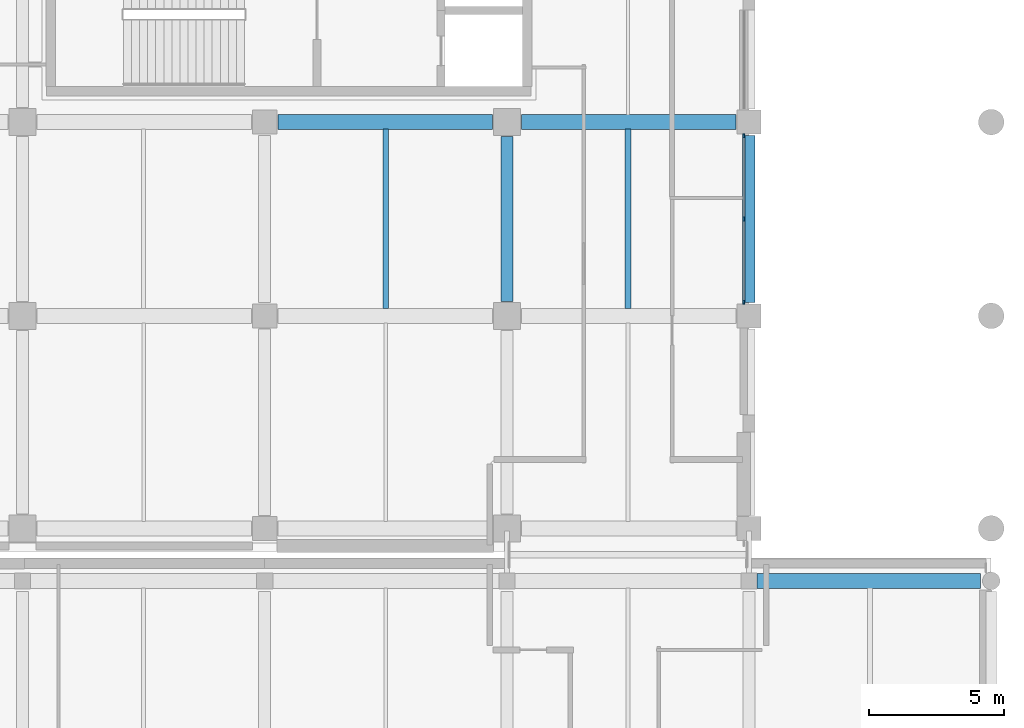
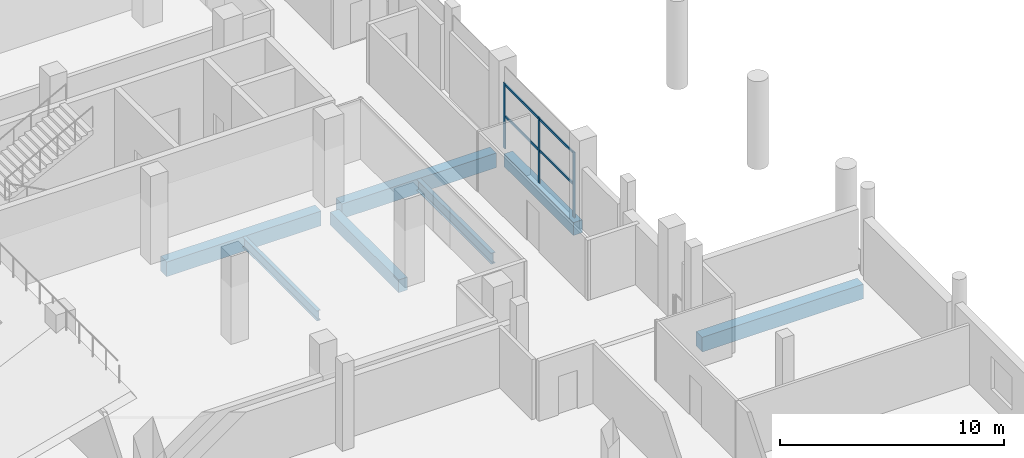
# One storey, part 22 of 100: 7 beams, 5 members, 1 element without a shape of its own.
"""IFC4 building model written with IfcOpenShell, lengths in metres."""

from ifc_helpers import new_model, si_unit, direction, frame, origin, origin_2d, place, context, subcontext, project, spatial, rectangle, i_section, extrude, material, material_profile, profile_set, type_object, element, aggregate, save


model = new_model("IFC4")

# Units and contexts
model_context = context("Model", 3, precision=1e-05, world=origin(), true_north=direction((0.0, 1.0)))
body_context = subcontext(model_context, "Body", "Model", "MODEL_VIEW")
ifc_project = project(units=[si_unit("LENGTHUNIT", "METRE"), si_unit("AREAUNIT", "SQUARE_METRE"), si_unit("VOLUMEUNIT", "CUBIC_METRE"), si_unit("PLANEANGLEUNIT", "RADIAN"), si_unit("MASSUNIT", "GRAM", prefix="KILO"), si_unit("THERMODYNAMICTEMPERATUREUNIT", "KELVIN"), si_unit("POWERUNIT", "WATT")], contexts=[model_context])

# Site, building, storey
site_placement = place(None, origin())
site = spatial("IfcSite", under=ifc_project, at=site_placement, CompositionType="ELEMENT")
building_placement = place(site_placement, origin())
building = spatial("IfcBuilding", under=site, at=building_placement, Name="Sindhuravela Promenade Stadium", CompositionType="ELEMENT")
storey_placement = place(building_placement, frame((0.0, 0.0, 4.800048828125)))
storey = spatial("IfcBuildingStorey", under=building, at=storey_placement, Name="L01", CompositionType="ELEMENT", Elevation=4.800048828125)

# Curtain wall, members
ifc_material_1 = material(Name="Anodised architectural aluminium 6063-T6", Category="aluminium")
curtain_wall_type = type_object("IfcCurtainWallType", Name="CW-MOD-4", PredefinedType="NOTDEFINED", material=ifc_material_1)
curtain_wall_placement = place(storey_placement, origin())
curtain_wall = element("IfcCurtainWall", 1, at=curtain_wall_placement, inside=storey, type_object=curtain_wall_type, Name="Bronze curtain wall CW-EAST-L01-091", PredefinedType="NOTDEFINED")
ifc_material_profile_1 = material_profile(ifc_material_1, rectangle(XDim=0.06494140625, YDim=0.14990234375, at=origin_2d()), Name="ALU MULL 65x150")
ifc_profile_set_1 = profile_set([ifc_material_profile_1], Name="Anodised architectural aluminium 6063-T6")
member_type_1 = type_object("IfcMemberType", Name="CW-MUL-2", PredefinedType="MULLION", material=ifc_profile_set_1)
member_1_placement = place(storey_placement, frame((206.800048828125, 51.699951171875, 0.0), z_axis=(0.0, 0.0, 1.0), x_axis=(1.0, 0.0, 0.0)))
member_1 = element("IfcMember", 2, at=member_1_placement, type_object=member_type_1, Name="Curtain wall mullion CW-EAST-L01-091-M1", PredefinedType="MULLION", context=body_context, shape_type="SweptSolid", body=[
    extrude(rectangle(XDim=0.06494140625, YDim=0.14990234375, at=origin_2d()), origin(), (0.0, 0.0, 1.0), 3.579833984375),
])
member_2_placement = place(storey_placement, frame((206.800048828125, 48.60009765625, 0.0), z_axis=(0.0, 0.0, 1.0), x_axis=(1.0, 0.0, 0.0)))
member_2 = element("IfcMember", 3, at=member_2_placement, type_object=member_type_1, Name="Curtain wall mullion CW-EAST-L01-091-M2", PredefinedType="MULLION", context=body_context, shape_type="SweptSolid", body=[
    extrude(rectangle(XDim=0.06494140625, YDim=0.14990234375, at=origin_2d()), origin(), (0.0, 0.0, 1.0), 3.579833984375),
])
member_3_placement = place(storey_placement, frame((206.800048828125, 45.5, 0.0), z_axis=(0.0, 0.0, 1.0), x_axis=(1.0, 0.0, 0.0)))
member_3 = element("IfcMember", 4, at=member_3_placement, type_object=member_type_1, Name="Curtain wall mullion CW-EAST-L01-091-M3", PredefinedType="MULLION", context=body_context, shape_type="SweptSolid", body=[
    extrude(rectangle(XDim=0.06494140625, YDim=0.14990234375, at=origin_2d()), origin(), (0.0, 0.0, 1.0), 3.579833984375),
])
ifc_material_profile_2 = material_profile(ifc_material_1, rectangle(XDim=0.06494140625, YDim=0.125, at=origin_2d()), Name="ALU TRAN 65x125")
ifc_profile_set_2 = profile_set([ifc_material_profile_2], Name="Anodised architectural aluminium 6063-T6")
member_type_2 = type_object("IfcMemberType", Name="CW-TRN-2", PredefinedType="USERDEFINED", material=ifc_profile_set_2)
member_4_placement = place(storey_placement, frame((206.800048828125, 51.72509765625, 1.7900390625), z_axis=(0.0, -1.0, 0.0), x_axis=(1.0, 0.0, 0.0)))
member_4 = element("IfcMember", 5, at=member_4_placement, type_object=member_type_2, Name="Curtain wall transom CW-EAST-L01-091-T1", ObjectType="TRANSOM", PredefinedType="USERDEFINED", context=body_context, shape_type="SweptSolid", body=[
    extrude(rectangle(XDim=0.06494140625, YDim=0.125, at=origin_2d()), origin(), (0.0, 0.0, 1.0), 6.25),
])
member_5_placement = place(storey_placement, frame((206.800048828125, 51.72509765625, 3.5), z_axis=(0.0, -1.0, 0.0), x_axis=(1.0, 0.0, 0.0)))
member_5 = element("IfcMember", 6, at=member_5_placement, type_object=member_type_2, Name="Curtain wall transom CW-EAST-L01-091-T2", ObjectType="TRANSOM", PredefinedType="USERDEFINED", context=body_context, shape_type="SweptSolid", body=[
    extrude(rectangle(XDim=0.06494140625, YDim=0.125, at=origin_2d()), origin(), (0.0, 0.0, 1.0), 6.25),
])
aggregate(curtain_wall, [member_1, member_2, member_3, member_4, member_5])

# Beams
ifc_material_2 = material(Name="Concrete M40", Category="concrete")
ifc_material_profile_3 = material_profile(ifc_material_2, rectangle(XDim=0.449951171875, YDim=0.699951171875, at=origin_2d()), Name="RC 450x700")
ifc_profile_set_3 = profile_set([ifc_material_profile_3], Name="Concrete M40")
beam_type_1 = type_object("IfcBeamType", Name="RC-BM-450x700", PredefinedType="BEAM", material=ifc_profile_set_3)
beam_1_placement = place(storey_placement, frame((198.0, 45.5400390625, -0.650146484375), z_axis=(0.0, 1.0, 0.0), x_axis=(-1.0, 0.0, 0.0)))
element("IfcBeam", 7, at=beam_1_placement, inside=storey, type_object=beam_type_1, Name="Primary beam GB07 EAST L01", PredefinedType="BEAM", context=body_context, shape_type="SweptSolid", body=[
    extrude(rectangle(XDim=0.449951171875, YDim=0.699951171875, at=origin_2d()), origin(), (0.0, 0.0, 1.0), 6.119873046875),
])
beam_2_placement = place(storey_placement, frame((207.0, 45.489990234375, -0.650146484375), z_axis=(0.0, 1.0, 0.0), x_axis=(-1.0, 0.0, 0.0)))
element("IfcBeam", 8, at=beam_2_placement, inside=storey, type_object=beam_type_1, Name="Primary beam GB07 EAST L01", PredefinedType="BEAM", context=body_context, shape_type="SweptSolid", body=[
    extrude(rectangle(XDim=0.449951171875, YDim=0.699951171875, at=origin_2d()), origin(), (0.0, 0.0, 1.0), 6.219970703125),
])
ifc_material_profile_4 = material_profile(ifc_material_2, rectangle(XDim=0.550048828125, YDim=0.800048828125, at=origin_2d()), Name="RC 550x800")
ifc_profile_set_4 = profile_set([ifc_material_profile_4], Name="Concrete M40")
beam_type_2 = type_object("IfcBeamType", Name="RC-BM-550x800", PredefinedType="BEAM", material=ifc_profile_set_4)
for number, where, z_axis, x_axis, name in (
    (9, (189.489990234375, 52.199951171875, -0.699951171875), (1.0, 0.0, 0.0), (0.0, 1.0, 0.0), "Primary girder GB05 EAST L01"),
    (10, (198.5400390625, 52.199951171875, -0.699951171875), (1.0, 0.0, 0.0), (0.0, 1.0, 0.0), "Primary girder GB05 EAST L01"),
):
    element("IfcBeam", number, at=place(storey_placement, frame(where, z_axis=z_axis, x_axis=x_axis)), inside=storey, type_object=beam_type_2, Name=name, PredefinedType="BEAM", context=body_context, shape_type="SweptSolid", body=[
        extrude(rectangle(XDim=0.550048828125, YDim=0.800048828125, at=origin_2d()), origin(), (0.0, 0.0, 1.0), 7.969970703125),
    ])
beam_3_placement = place(storey_placement, frame((207.2900390625, 35.14990234375, -0.699951171875), z_axis=(1.0, 0.0, 0.0), x_axis=(0.0, 1.0, 0.0)))
element("IfcBeam", 11, at=beam_3_placement, inside=storey, type_object=beam_type_2, Name="Primary girder GB05 Pavilion SE L01", PredefinedType="BEAM", context=body_context, shape_type="SweptSolid", body=[
    extrude(rectangle(XDim=0.550048828125, YDim=0.800048828125, at=origin_2d()), origin(), (0.0, 0.0, 1.0), 8.320068359375),
])
ifc_material_3 = material(Name="Steel E350 (IS 2062 E350BR)", Category="steel")
ifc_material_profile_5 = material_profile(ifc_material_3, i_section(OverallWidth=0.18994140625, OverallDepth=0.550048828125, WebThickness=0.01123046875, FlangeThickness=0.019287109375, FilletRadius=0.01806640625, at=origin_2d()), Name="ISMB 550")
ifc_profile_set_5 = profile_set([ifc_material_profile_5], Name="Steel E350 (IS 2062 E350BR)")
beam_type_3 = type_object("IfcBeamType", Name="ST-BM-MB550", PredefinedType="SPANDREL", material=ifc_profile_set_5)
beam_4_placement = place(storey_placement, frame((193.5, 45.264892578125, -0.574951171875), z_axis=(0.0, 1.0, 0.0), x_axis=(-1.0, 0.0, 0.0)))
element("IfcBeam", 12, at=beam_4_placement, inside=storey, type_object=beam_type_3, Name="Secondary floor joist SB08 EAST L01", PredefinedType="SPANDREL", context=body_context, shape_type="SweptSolid", body=[
    extrude(i_section(OverallWidth=0.18994140625, OverallDepth=0.550048828125, WebThickness=0.01123046875, FlangeThickness=0.019287109375, FilletRadius=0.01806640625, at=origin_2d()), origin(), (0.0, 0.0, 1.0), 6.670166015625),
])
ifc_material_profile_6 = material_profile(ifc_material_3, i_section(OverallWidth=0.2099609375, OverallDepth=0.60009765625, WebThickness=0.011962890625, FlangeThickness=0.020751953125, FilletRadius=0.02001953125, at=origin_2d()), Name="ISMB 600")
ifc_profile_set_6 = profile_set([ifc_material_profile_6], Name="Steel E350 (IS 2062 E350BR)")
beam_type_4 = type_object("IfcBeamType", Name="ST-BM-MB600", PredefinedType="BEAM", material=ifc_profile_set_6)
beam_5_placement = place(storey_placement, frame((202.5, 45.264892578125, -0.60009765625), z_axis=(0.0, 1.0, 0.0), x_axis=(-1.0, 0.0, 0.0)))
element("IfcBeam", 13, at=beam_5_placement, inside=storey, type_object=beam_type_4, Name="Secondary floor joist SB09 EAST L01", PredefinedType="BEAM", context=body_context, shape_type="SweptSolid", body=[
    extrude(i_section(OverallWidth=0.2099609375, OverallDepth=0.60009765625, WebThickness=0.011962890625, FlangeThickness=0.020751953125, FilletRadius=0.02001953125, at=origin_2d()), origin(), (0.0, 0.0, 1.0), 6.670166015625),
])

save(model, "model.ifc")
